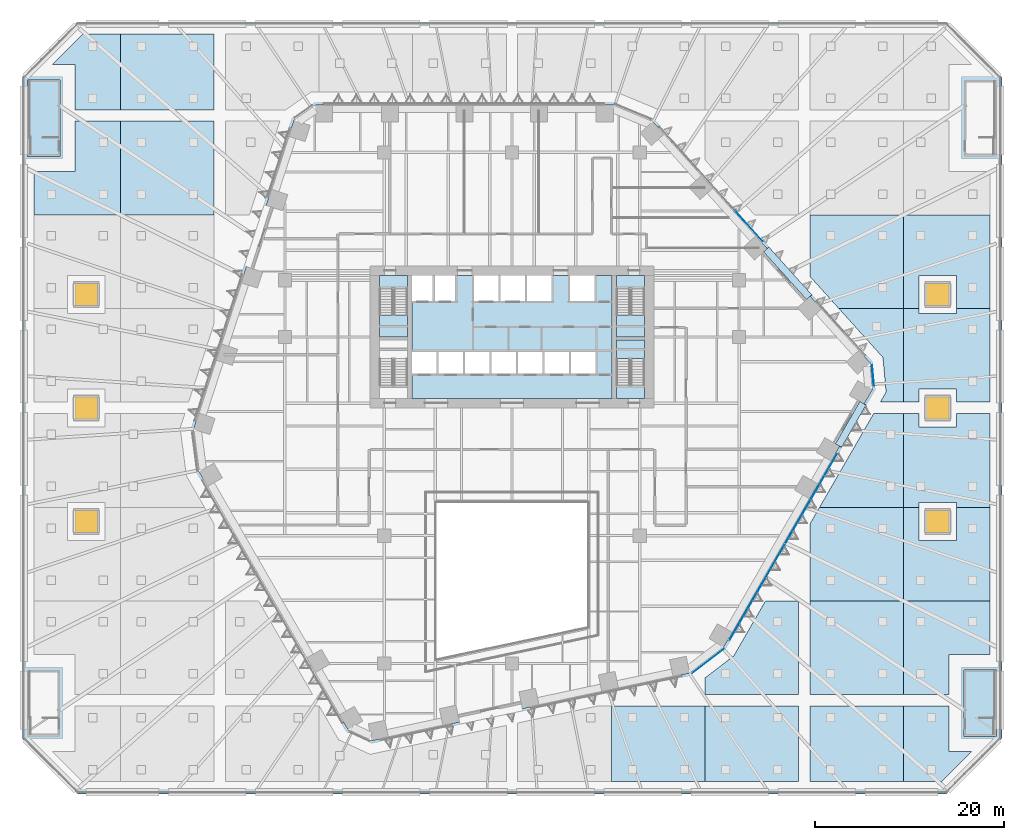
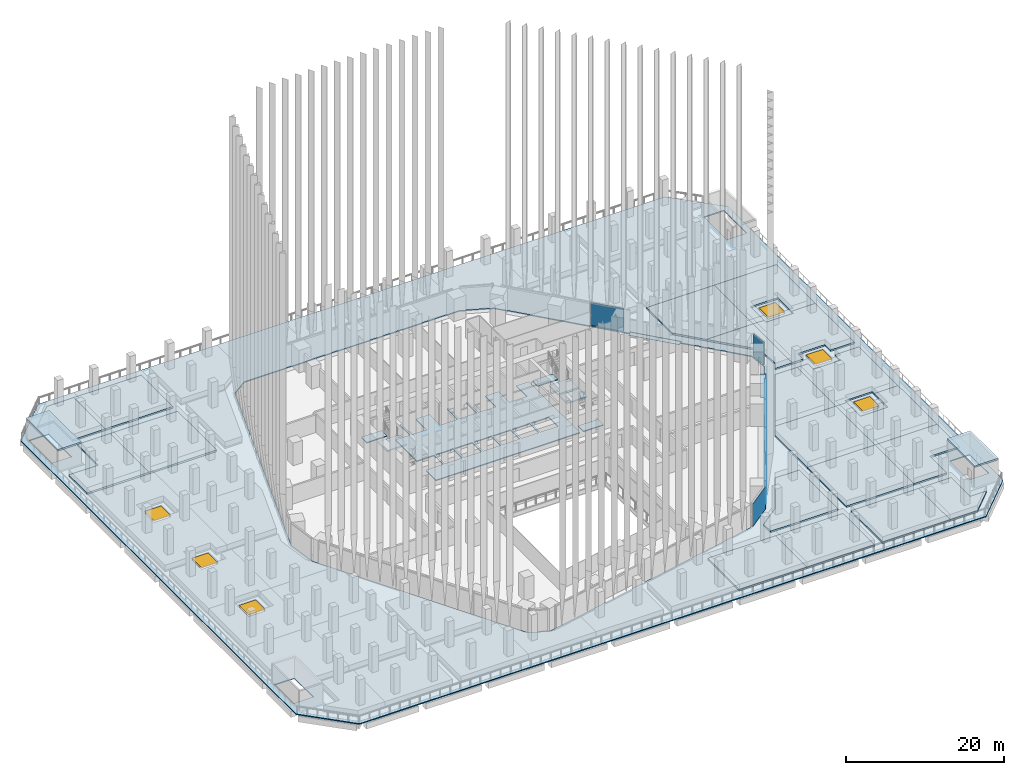
# One storey, part 22 of 51: 31 slabs, 7 plates, 6 windows, 6 openings, 7 elements without a shape of their own.
"""IFC4 building model written with IfcOpenShell, lengths in metres."""

from ifc_helpers import new_model, si_unit, direction, frame, origin, origin_2d, place, context, subcontext, project, spatial, polyline, rectangle, outline, extrude, material, layer, layer_set, type_object, element, fill, aggregate, save


model = new_model("IFC4")

# Units and contexts
model_context = context("Model", 3, precision=1e-05, world=origin(), true_north=direction((0.0, 1.0)))
body_context = subcontext(model_context, "Body", "Model", "MODEL_VIEW")
ifc_project = project(units=[si_unit("LENGTHUNIT", "METRE"), si_unit("AREAUNIT", "SQUARE_METRE"), si_unit("VOLUMEUNIT", "CUBIC_METRE"), si_unit("PLANEANGLEUNIT", "RADIAN"), si_unit("MASSUNIT", "GRAM", prefix="KILO")], contexts=[model_context])

# Site, building, storey
site_placement = place(None, origin())
site = spatial("IfcSite", under=ifc_project, at=site_placement, CompositionType="ELEMENT")
building_placement = place(site_placement, origin())
building = spatial("IfcBuilding", under=site, at=building_placement, Name="Isthmus Gate Tower", CompositionType="ELEMENT")
storey_placement = place(building_placement, frame((0.0, 0.0, 36.0)))
storey = spatial("IfcBuildingStorey", under=building, at=storey_placement, Name="L06", CompositionType="ELEMENT", Elevation=36.0)

# Slabs
ifc_material_1 = material(Name="Concrete f'c 40 MPa", Category="concrete")
ifc_layer_1 = layer(ifc_material_1, 0.14990234375)
ifc_layer_set_1 = layer_set([ifc_layer_1], Name="CORE FLOOR SLAB 150")
slab_type_1 = type_object("IfcSlabType", Name="CORE FLOOR SLAB 150", PredefinedType="FLOOR", material=ifc_layer_set_1)
slab_1_placement = place(storey_placement, frame((0.0, 0.0, -0.14990234375)))
element("IfcSlab", 1, at=slab_1_placement, inside=storey, type_object=slab_type_1, Name="L06 core floor", PredefinedType="FLOOR", context=body_context, shape_type="SweptSolid", body=[
    extrude(outline(polyline([(-14.0, 14.0), (-14.0, 12.597900390625), (-11.050048828125, 12.597900390625), (-11.050048828125, 14.0), (-14.0, 14.0)])), origin(), (0.0, 0.0, 1.0), 0.14990234375),
])
slab_2_placement = place(storey_placement, frame((0.0, 0.0, -0.14990234375)))
element("IfcSlab", 2, at=slab_2_placement, inside=storey, type_object=slab_type_1, Name="L06 core floor", PredefinedType="FLOOR", context=body_context, shape_type="SweptSolid", body=[
    extrude(outline(polyline([(10.550048828125, 14.0), (8.699951171875, 14.0), (8.699951171875, 11.300048828125), (6.14990234375, 11.300048828125), (6.14990234375, 14.0), (4.14990234375, 14.0), (4.14990234375, 11.300048828125), (1.60009765625, 11.300048828125), (1.60009765625, 14.0), (1.35009765625, 14.0), (1.35009765625, 11.300048828125), (-1.199951171875, 11.300048828125), (-1.199951171875, 14.0), (-1.449951171875, 14.0), (-1.449951171875, 11.300048828125), (-4.0, 11.300048828125), (-4.0, 14.0), (-6.0, 14.0), (-6.0, 11.300048828125), (-8.14990234375, 11.300048828125), (-8.14990234375, 14.0), (-8.39990234375, 14.0), (-8.39990234375, 11.300048828125), (-10.550048828125, 11.300048828125), (-10.550048828125, 5.89990234375), (-8.0, 5.89990234375), (-8.0, 3.60009765625), (-10.550048828125, 3.60009765625), (-10.550048828125, 1.0), (10.550048828125, 1.0), (10.550048828125, 14.0)]), holes=[polyline([(-5.199951171875, 5.89990234375), (-5.199951171875, 3.60009765625), (-7.75, 3.60009765625), (-7.75, 5.89990234375), (-5.199951171875, 5.89990234375)]), polyline([(-2.39990234375, 5.89990234375), (-2.39990234375, 3.60009765625), (-4.949951171875, 3.60009765625), (-4.949951171875, 5.89990234375), (-2.39990234375, 5.89990234375)]), polyline([(0.39990234375, 5.89990234375), (0.39990234375, 3.60009765625), (-2.14990234375, 3.60009765625), (-2.14990234375, 5.89990234375), (0.39990234375, 5.89990234375)]), polyline([(3.199951171875, 5.89990234375), (3.199951171875, 3.60009765625), (0.64990234375, 3.60009765625), (0.64990234375, 5.89990234375), (3.199951171875, 5.89990234375)]), polyline([(6.0, 5.89990234375), (6.0, 3.60009765625), (3.449951171875, 3.60009765625), (3.449951171875, 5.89990234375), (6.0, 5.89990234375)]), polyline([(8.800048828125, 5.89990234375), (8.800048828125, 3.60009765625), (6.25, 3.60009765625), (6.25, 5.89990234375), (8.800048828125, 5.89990234375)])]), origin(), (0.0, 0.0, 1.0), 0.14990234375),
])
slab_3_placement = place(storey_placement, frame((0.0, 0.0, -0.14990234375)))
element("IfcSlab", 3, at=slab_3_placement, inside=storey, type_object=slab_type_1, Name="L06 core floor", PredefinedType="FLOOR", context=body_context, shape_type="SweptSolid", body=[
    extrude(outline(polyline([(14.0, 1.0), (14.0, 2.402099609375), (11.050048828125, 2.402099609375), (11.050048828125, 1.0), (14.0, 1.0)])), origin(), (0.0, 0.0, 1.0), 0.14990234375),
])
slab_4_placement = place(storey_placement, frame((0.0, 0.0, -0.14990234375)))
element("IfcSlab", 4, at=slab_4_placement, inside=storey, type_object=slab_type_1, Name="L06 core floor", PredefinedType="FLOOR", context=body_context, shape_type="SweptSolid", body=[
    extrude(outline(polyline([(11.050048828125, 14.0), (11.050048828125, 12.597900390625), (14.0, 12.597900390625), (14.0, 14.0), (11.050048828125, 14.0)])), origin(), (0.0, 0.0, 1.0), 0.14990234375),
])

# Curtain wall, plate
ifc_material_2 = material(Name="Aluminium, pale champagne anodised", Category="aluminium")
ifc_layer_2 = layer(ifc_material_2, 0.199951171875)
ifc_layer_set_2 = layer_set([ifc_layer_2], Name="CW-1 UNITISED CURTAIN WALL 200 DEEP")
curtain_wall_type = type_object("IfcCurtainWallType", Name="CW-1 UNITISED CURTAIN WALL 200 DEEP", PredefinedType="NOTDEFINED", material=ifc_layer_set_2)
curtain_wall_1_placement = place(storey_placement, origin())
curtain_wall_1 = element("IfcCurtainWall", 5, at=curtain_wall_1_placement, inside=storey, type_object=curtain_wall_type, Name="CW-1 S-SE L06", PredefinedType="NOTDEFINED")
ifc_material_3 = material(Name="Laminated low-iron glass, pale blue tint", Category="glass")
ifc_layer_3 = layer(ifc_material_3, 0.0400390625)
ifc_layer_set_3 = layer_set([ifc_layer_3], Name="CW-1 CLEAR GLASS LITE 40")
plate_type = type_object("IfcPlateType", Name="CW-1 CLEAR GLASS LITE 40", PredefinedType="CURTAIN_PANEL", material=ifc_layer_set_3)
plate_1_placement = place(storey_placement, frame((20.711669921875, -26.75732421875, 0.0), z_axis=(0.0, 0.0, 1.0), x_axis=(0.794188594387, 0.607671355706, 0.0)))
plate_1 = element("IfcPlate", 6, at=plate_1_placement, type_object=plate_type, Name="CW-1 glass lite", PredefinedType="CURTAIN_PANEL", context=body_context, shape_type="SweptSolid", body=[
    extrude(rectangle(XDim=4.181396484375, YDim=0.0400390625, at=origin_2d()), origin(), (0.0, 0.0, 1.0), 3.5),
])
aggregate(curtain_wall_1, [plate_1])

# Curtain wall, plates
curtain_wall_2_placement = place(storey_placement, origin())
curtain_wall_2 = element("IfcCurtainWall", 7, at=curtain_wall_2_placement, inside=storey, type_object=curtain_wall_type, Name="CW-1 SE L06", PredefinedType="NOTDEFINED")
plate_2_placement = place(storey_placement, frame((24.5673828125, -21.80810546875, 0.0), z_axis=(0.0, 0.0, 1.0), x_axis=(0.5, 0.866025403784, 0.0)))
plate_2 = element("IfcPlate", 8, at=plate_2_placement, type_object=plate_type, Name="CW-1 glass lite", PredefinedType="CURTAIN_PANEL", context=body_context, shape_type="SweptSolid", body=[
    extrude(rectangle(XDim=6.278564453125, YDim=0.0400390625, at=origin_2d()), origin(), (0.0, 0.0, 1.0), 3.5),
])
plate_3_placement = place(storey_placement, frame((27.49658203125, -16.734375, 0.0), z_axis=(0.0, 0.0, 1.0), x_axis=(0.5, 0.866025403784, 0.0)))
plate_3 = element("IfcPlate", 9, at=plate_3_placement, type_object=plate_type, Name="CW-1 glass lite", PredefinedType="CURTAIN_PANEL", context=body_context, shape_type="SweptSolid", body=[
    extrude(rectangle(XDim=5.4384765625, YDim=0.0400390625, at=origin_2d()), origin(), (0.0, 0.0, 1.0), 3.5),
])
plate_4_placement = place(storey_placement, frame((30.4560546875, -11.608642578125, 0.0), z_axis=(0.0, 0.0, 1.0), x_axis=(0.5, 0.866025403784, 0.0)))
plate_4 = element("IfcPlate", 10, at=plate_4_placement, type_object=plate_type, Name="CW-1 glass lite", PredefinedType="CURTAIN_PANEL", context=body_context, shape_type="SweptSolid", body=[
    extrude(rectangle(XDim=6.278564453125, YDim=0.0400390625, at=origin_2d()), origin(), (0.0, 0.0, 1.0), 3.5),
])
plate_5_placement = place(storey_placement, frame((33.173828125, -6.901123046875, 0.0), z_axis=(0.0, 0.0, 1.0), x_axis=(0.5, 0.866025403784, 0.0)))
plate_5 = element("IfcPlate", 11, at=plate_5_placement, type_object=plate_type, Name="CW-1 glass lite", PredefinedType="CURTAIN_PANEL", context=body_context, shape_type="SweptSolid", body=[
    extrude(rectangle(XDim=4.5927734375, YDim=0.0400390625, at=origin_2d()), origin(), (0.0, 0.0, 1.0), 3.5),
])
aggregate(curtain_wall_2, [plate_2, plate_3, plate_4, plate_5])

# Curtain wall, plate
curtain_wall_3_placement = place(storey_placement, origin())
curtain_wall_3 = element("IfcCurtainWall", 12, at=curtain_wall_3_placement, inside=storey, type_object=curtain_wall_type, Name="CW-1 SE-NE L06", PredefinedType="NOTDEFINED")
plate_6_placement = place(storey_placement, frame((38.155029296875, 3.403564453125, 0.0), z_axis=(0.0, 0.0, 1.0), x_axis=(-0.089396669717, 0.995996102123, 0.0)))
plate_6 = element("IfcPlate", 13, at=plate_6_placement, type_object=plate_type, Name="CW-1 glass lite", PredefinedType="CURTAIN_PANEL", context=body_context, shape_type="SweptSolid", body=[
    extrude(rectangle(XDim=2.258544921875, YDim=0.0400390625, at=origin_2d()), origin(), (0.0, 0.0, 1.0), 3.5),
])
aggregate(curtain_wall_3, [plate_6])

curtain_wall_4_placement = place(storey_placement, origin())
curtain_wall_4 = element("IfcCurtainWall", 14, at=curtain_wall_4_placement, inside=storey, type_object=curtain_wall_type, Name="CW-1 NE L06", PredefinedType="NOTDEFINED")
plate_7_placement = place(storey_placement, frame((25.056884765625, 19.21875, 0.0), z_axis=(0.0, 0.0, 1.0), x_axis=(-0.669130606359, 0.743144825477, 0.0)))
plate_7 = element("IfcPlate", 15, at=plate_7_placement, type_object=plate_type, Name="CW-1 glass lite", PredefinedType="CURTAIN_PANEL", context=body_context, shape_type="SweptSolid", body=[
    extrude(rectangle(XDim=4.294677734375, YDim=0.0400390625, at=origin_2d()), origin(), (0.0, 0.0, 1.0), 3.5),
])
aggregate(curtain_wall_4, [plate_7])

# Slabs
ifc_material_4 = material(Name="Precast concrete C40/50", Category="concrete")
ifc_layer_4 = layer(ifc_material_4, 0.0400390625)
ifc_layer_set_4 = layer_set([ifc_layer_4], Name="DOOR LANDING SLAB 40")
slab_type_2 = type_object("IfcSlabType", Name="DOOR LANDING SLAB 40", PredefinedType="LANDING", material=ifc_layer_set_4)
slab_5_placement = place(storey_placement, origin())
element("IfcSlab", 16, at=slab_5_placement, inside=storey, type_object=slab_type_2, Name="DOOR LANDING", PredefinedType="LANDING", context=body_context, shape_type="SweptSolid", body=[
    extrude(outline(polyline([(34.832763671875, -4.16796875), (37.41748046875, 0.308837890625), (36.767822265625, 0.683837890625), (34.18310546875, -3.79296875), (34.832763671875, -4.16796875)])), origin(), (0.0, 0.0, 1.0), 0.0400390625),
])
slab_6_placement = place(storey_placement, origin())
element("IfcSlab", 17, at=slab_6_placement, inside=storey, type_object=slab_type_2, Name="DOOR LANDING", PredefinedType="LANDING", context=body_context, shape_type="SweptSolid", body=[
    extrude(outline(polyline([(31.69091796875, 11.95556640625), (27.14794921875, 17.0009765625), (26.590576171875, 16.499267578125), (31.133544921875, 11.45361328125), (31.69091796875, 11.95556640625)])), origin(), (0.0, 0.0, 1.0), 0.0400390625),
])
ifc_material_5 = material(Name="Concrete f'c 40 MPa", Category="concrete")
ifc_layer_5 = layer(ifc_material_5, 0.25)
ifc_layer_set_5 = layer_set([ifc_layer_5], Name="Head-house roof slab 250")
slab_type_3 = type_object("IfcSlabType", Name="Head-house roof slab 250", PredefinedType="ROOF", material=ifc_layer_set_5)
slab_7_placement = place(storey_placement, frame((0.0, 0.0, 3.199951171875)))
element("IfcSlab", 18, at=slab_7_placement, inside=storey, type_object=slab_type_3, Name="Stair head-house roof", PredefinedType="ROOF", context=body_context, shape_type="SweptSolid", body=[
    extrude(outline(polyline([(47.75, -34.72509765625), (51.199951171875, -34.72509765625), (51.199951171875, -27.678955078125), (47.75, -27.678955078125), (47.75, -34.72509765625)])), origin(), (0.0, 0.0, 1.0), 0.25),
])
slab_8_placement = place(storey_placement, frame((0.0, 0.0, 3.199951171875)))
element("IfcSlab", 19, at=slab_8_placement, inside=storey, type_object=slab_type_3, Name="Stair head-house roof", PredefinedType="ROOF", context=body_context, shape_type="SweptSolid", body=[
    extrude(outline(polyline([(-51.199951171875, 26.574951171875), (-47.75, 26.574951171875), (-47.75, 34.675048828125), (-51.199951171875, 34.675048828125), (-51.199951171875, 26.574951171875)])), origin(), (0.0, 0.0, 1.0), 0.25),
])

# Slab, openings, windows
ifc_material_6 = material(Name="Concrete f'c 40 MPa", Category="concrete")
ifc_layer_6 = layer(ifc_material_6, 0.14990234375)
ifc_layer_set_6 = layer_set([ifc_layer_6], Name="LEDGE ROOF SLAB 150")
slab_type_4 = type_object("IfcSlabType", Name="LEDGE ROOF SLAB 150", PredefinedType="ROOF", material=ifc_layer_set_6)
slab_9_placement = place(storey_placement, frame((0.0, 0.0, -0.14990234375)))
slab_9 = element("IfcSlab", 20, at=slab_9_placement, inside=storey, type_object=slab_type_4, Name="str-podroof", PredefinedType="ROOF", context=body_context, shape_type="SweptSolid", body=[
    extrude(outline(polyline([(-45.917236328125, 40.800048828125), (45.917236328125, 40.800048828125), (51.800048828125, 34.917236328125), (51.800048828125, -34.917236328125), (45.917236328125, -40.800048828125), (-45.917236328125, -40.800048828125), (-51.800048828125, -34.917236328125), (-51.800048828125, 34.917236328125), (-45.917236328125, 40.800048828125)]), holes=[polyline([(-23.585205078125, 28.702880859375), (-25.4052734375, 23.10205078125), (-25.797607421875, 21.89404296875), (-25.96142578125, 21.389892578125), (-28.0595703125, 14.93310546875), (-28.337646484375, 14.0771484375), (-28.61572265625, 13.22119140625), (-30.7138671875, 6.76416015625), (-30.797607421875, 6.505615234375), (-31.27001953125, 5.052001953125), (-33.08984375, -0.548828125), (-33.64599609375, -2.2607421875), (-33.063720703125, -6.73193359375), (-32.163818359375, -8.290771484375), (-21.696533203125, -26.420654296875), (-20.79638671875, -27.9794921875), (-18.224609375, -32.433837890625), (-17.32470703125, -33.99267578125), (-14.82568359375, -35.1513671875), (-13.06494140625, -34.777099609375), (-7.30419921875, -33.552490234375), (-5.543701171875, -33.17822265625), (1.097412109375, -31.7666015625), (2.858154296875, -31.392578125), (9.4990234375, -29.98095703125), (10.76904296875, -29.7109375), (11.259765625, -29.606689453125), (17.020263671875, -28.382080078125), (18.781005859375, -28.008056640625), (22.36181640625, -25.26806640625), (23.261962890625, -23.709228515625), (31.419677734375, -9.579345703125), (32.319580078125, -8.0205078125), (33.71630859375, -5.601806640625), (34.395751953125, -4.4248046875), (34.6162109375, -4.04296875), (37.200927734375, 0.433837890625), (38.100830078125, 1.99267578125), (37.854736328125, 4.736328125), (36.650146484375, 6.073974609375), (32.70947265625, 10.45068359375), (32.396484375, 10.79833984375), (31.505126953125, 11.788330078125), (26.962158203125, 16.833740234375), (25.7578125, 18.17138671875), (21.214599609375, 23.216796875), (20.30712890625, 24.224853515625), (20.01025390625, 24.554443359375), (16.069580078125, 28.93115234375), (14.864990234375, 30.268798828125), (10.701904296875, 32.0), (8.90185546875, 32.0), (3.732421875, 32.0), (1.932373046875, 32.0), (-4.13720703125, 32.0), (-5.937255859375, 32.0), (-12.006591796875, 32.0), (-13.806640625, 32.0), (-18.976318359375, 32.0), (-20.776123046875, 32.0), (-23.029052734375, 30.4150390625), (-23.585205078125, 28.702880859375)]), polyline([(-48.0, -27.928955078125), (-50.949951171875, -27.928955078125), (-50.949951171875, -32.72509765625), (-48.0, -32.72509765625), (-48.0, -27.928955078125)]), polyline([(-48.0, 28.625), (-48.0, 34.425048828125), (-50.949951171875, 34.425048828125), (-50.949951171875, 28.625), (-48.0, 28.625)]), polyline([(50.949951171875, -27.928955078125), (48.0, -27.928955078125), (48.0, -32.72509765625), (50.949951171875, -32.72509765625), (50.949951171875, -27.928955078125)]), polyline([(50.949951171875, 28.625), (50.949951171875, 34.425048828125), (48.0, 34.425048828125), (48.0, 28.625), (50.949951171875, 28.625)]), polyline([(-46.199951171875, -13.199951171875), (-43.800048828125, -13.199951171875), (-43.800048828125, -10.800048828125), (-46.199951171875, -10.800048828125), (-46.199951171875, -13.199951171875)]), polyline([(43.800048828125, -10.800048828125), (43.800048828125, -13.199951171875), (46.199951171875, -13.199951171875), (46.199951171875, -10.800048828125), (43.800048828125, -10.800048828125)]), polyline([(-46.199951171875, 1.199951171875), (-46.199951171875, -1.199951171875), (-43.800048828125, -1.199951171875), (-43.800048828125, 1.199951171875), (-46.199951171875, 1.199951171875)]), polyline([(43.800048828125, -1.199951171875), (46.199951171875, -1.199951171875), (46.199951171875, 1.199951171875), (43.800048828125, 1.199951171875), (43.800048828125, -1.199951171875)]), polyline([(-46.199951171875, 13.199951171875), (-46.199951171875, 10.800048828125), (-43.800048828125, 10.800048828125), (-43.800048828125, 13.199951171875), (-46.199951171875, 13.199951171875)]), polyline([(43.800048828125, 13.199951171875), (43.800048828125, 10.800048828125), (46.199951171875, 10.800048828125), (46.199951171875, 13.199951171875), (43.800048828125, 13.199951171875)])]), origin(), (0.0, 0.0, 1.0), 0.14990234375),
])
opening_1_placement = place(slab_9_placement, frame((-45.0, -12.0, 0.0)))
opening_1 = element("IfcOpeningElement", 21, at=opening_1_placement, cuts=slab_9, Name="Opening W120", PredefinedType="OPENING", context=body_context, shape_type="SweptSolid", body=[
    extrude(rectangle(XDim=2.39990234375, YDim=2.39990234375, at=origin_2d()), origin(), (0.0, 0.0, 1.0), 0.39990234375),
])
opening_2_placement = place(slab_9_placement, frame((-45.0, 0.0, 0.0)))
opening_2 = element("IfcOpeningElement", 22, at=opening_2_placement, cuts=slab_9, Name="Opening W121", PredefinedType="OPENING", context=body_context, shape_type="SweptSolid", body=[
    extrude(rectangle(XDim=2.39990234375, YDim=2.39990234375, at=origin_2d()), origin(), (0.0, 0.0, 1.0), 0.39990234375),
])
opening_3_placement = place(slab_9_placement, frame((-45.0, 12.0, 0.0)))
opening_3 = element("IfcOpeningElement", 23, at=opening_3_placement, cuts=slab_9, Name="Opening W122", PredefinedType="OPENING", context=body_context, shape_type="SweptSolid", body=[
    extrude(rectangle(XDim=2.39990234375, YDim=2.39990234375, at=origin_2d()), origin(), (0.0, 0.0, 1.0), 0.39990234375),
])
opening_4_placement = place(slab_9_placement, frame((45.0, -12.0, 0.0)))
opening_4 = element("IfcOpeningElement", 24, at=opening_4_placement, cuts=slab_9, Name="Opening W123", PredefinedType="OPENING", context=body_context, shape_type="SweptSolid", body=[
    extrude(rectangle(XDim=2.39990234375, YDim=2.39990234375, at=origin_2d()), origin(), (0.0, 0.0, 1.0), 0.39990234375),
])
opening_5_placement = place(slab_9_placement, frame((45.0, 0.0, 0.0)))
opening_5 = element("IfcOpeningElement", 25, at=opening_5_placement, cuts=slab_9, Name="Opening W124", PredefinedType="OPENING", context=body_context, shape_type="SweptSolid", body=[
    extrude(rectangle(XDim=2.39990234375, YDim=2.39990234375, at=origin_2d()), origin(), (0.0, 0.0, 1.0), 0.39990234375),
])
opening_6_placement = place(slab_9_placement, frame((45.0, 12.0, 0.0)))
opening_6 = element("IfcOpeningElement", 26, at=opening_6_placement, cuts=slab_9, Name="Opening W125", PredefinedType="OPENING", context=body_context, shape_type="SweptSolid", body=[
    extrude(rectangle(XDim=2.39990234375, YDim=2.39990234375, at=origin_2d()), origin(), (0.0, 0.0, 1.0), 0.39990234375),
])
ifc_material_7 = material(Name="Laminated low-iron glass in aluminium frame", Category="aluminium")
window_type = type_object("IfcWindowType", Name="ROOFLIGHT 2400 X 2400", PartitioningType="SINGLE_PANEL", PredefinedType="SKYLIGHT", material=ifc_material_7)
window_1_placement = place(opening_1_placement, frame((0.0, 0.0, 0.349853515625)))
window_1 = element("IfcWindow", 27, at=window_1_placement, inside=storey, type_object=window_type, Name="SKYLIGHT", OverallHeight=2.39990234375, OverallWidth=2.39990234375, PartitioningType="SINGLE_PANEL", PredefinedType="SKYLIGHT", context=body_context, shape_type="SweptSolid", body=[
    extrude(rectangle(XDim=2.39990234375, YDim=2.39990234375, at=origin_2d()), origin(), (0.0, 0.0, 1.0), 0.050048828125),
])
fill(opening_1, window_1)
window_2_placement = place(opening_2_placement, frame((0.0, 0.0, 0.349853515625)))
window_2 = element("IfcWindow", 28, at=window_2_placement, inside=storey, type_object=window_type, Name="SKYLIGHT", OverallHeight=2.39990234375, OverallWidth=2.39990234375, PartitioningType="SINGLE_PANEL", PredefinedType="SKYLIGHT", context=body_context, shape_type="SweptSolid", body=[
    extrude(rectangle(XDim=2.39990234375, YDim=2.39990234375, at=origin_2d()), origin(), (0.0, 0.0, 1.0), 0.050048828125),
])
fill(opening_2, window_2)
window_3_placement = place(opening_3_placement, frame((0.0, 0.0, 0.349853515625)))
window_3 = element("IfcWindow", 29, at=window_3_placement, inside=storey, type_object=window_type, Name="SKYLIGHT", OverallHeight=2.39990234375, OverallWidth=2.39990234375, PartitioningType="SINGLE_PANEL", PredefinedType="SKYLIGHT", context=body_context, shape_type="SweptSolid", body=[
    extrude(rectangle(XDim=2.39990234375, YDim=2.39990234375, at=origin_2d()), origin(), (0.0, 0.0, 1.0), 0.050048828125),
])
fill(opening_3, window_3)
window_4_placement = place(opening_4_placement, frame((0.0, 0.0, 0.349853515625)))
window_4 = element("IfcWindow", 30, at=window_4_placement, inside=storey, type_object=window_type, Name="SKYLIGHT", OverallHeight=2.39990234375, OverallWidth=2.39990234375, PartitioningType="SINGLE_PANEL", PredefinedType="SKYLIGHT", context=body_context, shape_type="SweptSolid", body=[
    extrude(rectangle(XDim=2.39990234375, YDim=2.39990234375, at=origin_2d()), origin(), (0.0, 0.0, 1.0), 0.050048828125),
])
fill(opening_4, window_4)
window_5_placement = place(opening_5_placement, frame((0.0, 0.0, 0.349853515625)))
window_5 = element("IfcWindow", 31, at=window_5_placement, inside=storey, type_object=window_type, Name="SKYLIGHT", OverallHeight=2.39990234375, OverallWidth=2.39990234375, PartitioningType="SINGLE_PANEL", PredefinedType="SKYLIGHT", context=body_context, shape_type="SweptSolid", body=[
    extrude(rectangle(XDim=2.39990234375, YDim=2.39990234375, at=origin_2d()), origin(), (0.0, 0.0, 1.0), 0.050048828125),
])
fill(opening_5, window_5)
window_6_placement = place(opening_6_placement, frame((0.0, 0.0, 0.349853515625)))
window_6 = element("IfcWindow", 32, at=window_6_placement, inside=storey, type_object=window_type, Name="SKYLIGHT", OverallHeight=2.39990234375, OverallWidth=2.39990234375, PartitioningType="SINGLE_PANEL", PredefinedType="SKYLIGHT", context=body_context, shape_type="SweptSolid", body=[
    extrude(rectangle(XDim=2.39990234375, YDim=2.39990234375, at=origin_2d()), origin(), (0.0, 0.0, 1.0), 0.050048828125),
])
fill(opening_6, window_6)

# Slabs
ifc_material_8 = material(Name="Concrete f'c 40 MPa", Category="concrete")
ifc_layer_7 = layer(ifc_material_8, 0.25)
ifc_layer_set_7 = layer_set([ifc_layer_7], Name="PLANTING BED BASE SLAB 250")
slab_type_5 = type_object("IfcSlabType", Name="PLANTING BED BASE SLAB 250", PredefinedType="FLOOR", material=ifc_layer_set_7)
slab_10_placement = place(storey_placement, origin())
element("IfcSlab", 33, at=slab_10_placement, inside=storey, type_object=slab_type_5, Name="PLANTING BED BASE", PredefinedType="FLOOR", context=body_context, shape_type="SweptSolid", body=[
    extrude(outline(polyline([(-41.39990234375, 30.300048828125), (-46.175048828125, 30.300048828125), (-46.175048828125, 25.0), (-50.5, 25.0), (-50.5, 20.39990234375), (-41.39990234375, 20.39990234375), (-41.39990234375, 30.300048828125)])), origin(), (0.0, 0.0, 1.0), 0.25),
])
slab_11_placement = place(storey_placement, origin())
element("IfcSlab", 34, at=slab_11_placement, inside=storey, type_object=slab_type_5, Name="PLANTING BED BASE", PredefinedType="FLOOR", context=body_context, shape_type="SweptSolid", body=[
    extrude(outline(polyline([(-41.39990234375, 31.5), (-41.39990234375, 39.5), (-45.378662109375, 39.5), (-48.57861328125, 36.300048828125), (-46.175048828125, 36.300048828125), (-46.175048828125, 31.5), (-41.39990234375, 31.5)])), origin(), (0.0, 0.0, 1.0), 0.25),
])
slab_12_placement = place(storey_placement, origin())
element("IfcSlab", 35, at=slab_12_placement, inside=storey, type_object=slab_type_5, Name="PLANTING BED BASE", PredefinedType="FLOOR", context=body_context, shape_type="SweptSolid", body=[
    extrude(outline(polyline([(-41.39990234375, 20.39990234375), (-31.5, 20.39990234375), (-31.5, 30.300048828125), (-41.39990234375, 30.300048828125), (-41.39990234375, 20.39990234375)])), origin(), (0.0, 0.0, 1.0), 0.25),
])
slab_13_placement = place(storey_placement, origin())
element("IfcSlab", 36, at=slab_13_placement, inside=storey, type_object=slab_type_5, Name="PLANTING BED BASE", PredefinedType="FLOOR", context=body_context, shape_type="SweptSolid", body=[
    extrude(outline(polyline([(-31.5, 31.5), (-31.5, 39.5), (-41.39990234375, 39.5), (-41.39990234375, 31.5), (-31.5, 31.5)])), origin(), (0.0, 0.0, 1.0), 0.25),
])
slab_14_placement = place(storey_placement, origin())
element("IfcSlab", 37, at=slab_14_placement, inside=storey, type_object=slab_type_5, Name="PLANTING BED BASE", PredefinedType="FLOOR", context=body_context, shape_type="SweptSolid", body=[
    extrude(outline(polyline([(10.5, -31.5), (10.5, -39.5), (20.39990234375, -39.5), (20.39990234375, -31.5), (10.5, -31.5)])), origin(), (0.0, 0.0, 1.0), 0.25),
])
slab_15_placement = place(storey_placement, origin())
element("IfcSlab", 38, at=slab_15_placement, inside=storey, type_object=slab_type_5, Name="PLANTING BED BASE", PredefinedType="FLOOR", context=body_context, shape_type="SweptSolid", body=[
    extrude(outline(polyline([(20.39990234375, -31.5), (20.39990234375, -39.5), (30.300048828125, -39.5), (30.300048828125, -31.5), (20.39990234375, -31.5)])), origin(), (0.0, 0.0, 1.0), 0.25),
])
slab_16_placement = place(storey_placement, origin())
element("IfcSlab", 39, at=slab_16_placement, inside=storey, type_object=slab_type_5, Name="PLANTING BED BASE", PredefinedType="FLOOR", context=body_context, shape_type="SweptSolid", body=[
    extrude(outline(polyline([(30.300048828125, -20.39990234375), (26.7890625, -20.39990234375), (23.4345703125, -26.210205078125), (20.39990234375, -28.531982421875), (20.39990234375, -30.300048828125), (30.300048828125, -30.300048828125), (30.300048828125, -20.39990234375)])), origin(), (0.0, 0.0, 1.0), 0.25),
])
slab_17_placement = place(storey_placement, origin())
element("IfcSlab", 40, at=slab_17_placement, inside=storey, type_object=slab_type_5, Name="PLANTING BED BASE", PredefinedType="FLOOR", context=body_context, shape_type="SweptSolid", body=[
    extrude(outline(polyline([(31.5, -31.5), (31.5, -39.5), (41.39990234375, -39.5), (41.39990234375, -31.5), (31.5, -31.5)])), origin(), (0.0, 0.0, 1.0), 0.25),
])
slab_18_placement = place(storey_placement, origin())
element("IfcSlab", 41, at=slab_18_placement, inside=storey, type_object=slab_type_5, Name="PLANTING BED BASE", PredefinedType="FLOOR", context=body_context, shape_type="SweptSolid", body=[
    extrude(outline(polyline([(31.5, -30.300048828125), (41.39990234375, -30.300048828125), (41.39990234375, -20.39990234375), (31.5, -20.39990234375), (31.5, -30.300048828125)])), origin(), (0.0, 0.0, 1.0), 0.25),
])
slab_19_placement = place(storey_placement, origin())
element("IfcSlab", 42, at=slab_19_placement, inside=storey, type_object=slab_type_5, Name="PLANTING BED BASE", PredefinedType="FLOOR", context=body_context, shape_type="SweptSolid", body=[
    extrude(outline(polyline([(41.39990234375, -10.5), (32.5048828125, -10.5), (31.5, -12.240478515625), (31.5, -20.39990234375), (41.39990234375, -20.39990234375), (41.39990234375, -10.5)])), origin(), (0.0, 0.0, 1.0), 0.25),
])
slab_20_placement = place(storey_placement, origin())
element("IfcSlab", 43, at=slab_20_placement, inside=storey, type_object=slab_type_5, Name="PLANTING BED BASE", PredefinedType="FLOOR", context=body_context, shape_type="SweptSolid", body=[
    extrude(outline(polyline([(31.5, 20.39990234375), (31.5, 13.88623046875), (34.548828125, 10.5), (41.39990234375, 10.5), (41.39990234375, 20.39990234375), (31.5, 20.39990234375)])), origin(), (0.0, 0.0, 1.0), 0.25),
])
slab_21_placement = place(storey_placement, origin())
element("IfcSlab", 44, at=slab_21_placement, inside=storey, type_object=slab_type_5, Name="PLANTING BED BASE", PredefinedType="FLOOR", context=body_context, shape_type="SweptSolid", body=[
    extrude(outline(polyline([(41.39990234375, -0.60009765625), (38.220703125, -0.60009765625), (32.5048828125, -10.5), (41.39990234375, -10.5), (41.39990234375, -0.60009765625)])), origin(), (0.0, 0.0, 1.0), 0.25),
])
slab_22_placement = place(storey_placement, origin())
element("IfcSlab", 45, at=slab_22_placement, inside=storey, type_object=slab_type_5, Name="PLANTING BED BASE", PredefinedType="FLOOR", context=body_context, shape_type="SweptSolid", body=[
    extrude(outline(polyline([(41.39990234375, 10.5), (34.548828125, 10.5), (39.207275390625, 5.326171875), (39.534912109375, 1.676513671875), (38.913330078125, 0.60009765625), (41.39990234375, 0.60009765625), (41.39990234375, 10.5)])), origin(), (0.0, 0.0, 1.0), 0.25),
])
slab_23_placement = place(storey_placement, origin())
element("IfcSlab", 46, at=slab_23_placement, inside=storey, type_object=slab_type_5, Name="PLANTING BED BASE", PredefinedType="FLOOR", context=body_context, shape_type="SweptSolid", body=[
    extrude(outline(polyline([(41.39990234375, -31.5), (41.39990234375, -39.5), (45.378662109375, -39.5), (48.57861328125, -36.300048828125), (46.175048828125, -36.300048828125), (46.175048828125, -31.5), (41.39990234375, -31.5)])), origin(), (0.0, 0.0, 1.0), 0.25),
])
slab_24_placement = place(storey_placement, origin())
element("IfcSlab", 47, at=slab_24_placement, inside=storey, type_object=slab_type_5, Name="PLANTING BED BASE", PredefinedType="FLOOR", context=body_context, shape_type="SweptSolid", body=[
    extrude(outline(polyline([(41.39990234375, -30.300048828125), (46.175048828125, -30.300048828125), (46.175048828125, -26.078857421875), (50.5, -26.078857421875), (50.5, -20.39990234375), (41.39990234375, -20.39990234375), (41.39990234375, -30.300048828125)])), origin(), (0.0, 0.0, 1.0), 0.25),
])
slab_25_placement = place(storey_placement, origin())
element("IfcSlab", 48, at=slab_25_placement, inside=storey, type_object=slab_type_5, Name="PLANTING BED BASE", PredefinedType="FLOOR", context=body_context, shape_type="SweptSolid", body=[
    extrude(outline(polyline([(50.5, -0.60009765625), (47.0, -0.60009765625), (47.0, -2.0), (43.0, -2.0), (43.0, -0.60009765625), (41.39990234375, -0.60009765625), (41.39990234375, -10.5), (43.0, -10.5), (43.0, -10.0), (47.0, -10.0), (47.0, -10.5), (50.5, -10.5), (50.5, -0.60009765625)])), origin(), (0.0, 0.0, 1.0), 0.25),
])
slab_26_placement = place(storey_placement, origin())
element("IfcSlab", 49, at=slab_26_placement, inside=storey, type_object=slab_type_5, Name="PLANTING BED BASE", PredefinedType="FLOOR", context=body_context, shape_type="SweptSolid", body=[
    extrude(outline(polyline([(50.5, 10.5), (47.0, 10.5), (47.0, 10.0), (43.0, 10.0), (43.0, 10.5), (41.39990234375, 10.5), (41.39990234375, 0.60009765625), (43.0, 0.60009765625), (43.0, 2.0), (47.0, 2.0), (47.0, 0.60009765625), (50.5, 0.60009765625), (50.5, 10.5)])), origin(), (0.0, 0.0, 1.0), 0.25),
])
slab_27_placement = place(storey_placement, origin())
element("IfcSlab", 50, at=slab_27_placement, inside=storey, type_object=slab_type_5, Name="PLANTING BED BASE", PredefinedType="FLOOR", context=body_context, shape_type="SweptSolid", body=[
    extrude(outline(polyline([(50.5, -10.5), (47.0, -10.5), (47.0, -14.0), (43.0, -14.0), (43.0, -10.5), (41.39990234375, -10.5), (41.39990234375, -20.39990234375), (50.5, -20.39990234375), (50.5, -10.5)])), origin(), (0.0, 0.0, 1.0), 0.25),
])
slab_28_placement = place(storey_placement, origin())
element("IfcSlab", 51, at=slab_28_placement, inside=storey, type_object=slab_type_5, Name="PLANTING BED BASE", PredefinedType="FLOOR", context=body_context, shape_type="SweptSolid", body=[
    extrude(outline(polyline([(41.39990234375, 10.5), (43.0, 10.5), (43.0, 14.0), (47.0, 14.0), (47.0, 10.5), (50.5, 10.5), (50.5, 20.39990234375), (41.39990234375, 20.39990234375), (41.39990234375, 10.5)])), origin(), (0.0, 0.0, 1.0), 0.25),
])

# Stair, slab
ifc_material_9 = material(Name="Concrete f'c 40 MPa", Category="concrete")
stair_type = type_object("IfcStairType", Name="CORE STAIR 22 RISERS", PredefinedType="HALF_TURN_STAIR", material=ifc_material_9)
stair_1_placement = place(storey_placement, origin())
stair_1 = element("IfcStair", 52, at=stair_1_placement, inside=storey, type_object=stair_type, Name="L06 Exit Stair 1", PredefinedType="HALF_TURN_STAIR")
ifc_material_10 = material(Name="Concrete f'c 40 MPa", Category="concrete")
ifc_layer_8 = layer(ifc_material_10, 0.199951171875)
ifc_layer_set_8 = layer_set([ifc_layer_8])
slab_type_6 = type_object("IfcSlabType", Name="STAIR LANDING RC 200", PredefinedType="LANDING", material=ifc_layer_set_8)
slab_29_placement = place(storey_placement, frame((0.0, 0.0, 1.625)))
slab_29 = element("IfcSlab", 53, at=slab_29_placement, type_object=slab_type_6, Name="ST1 landing 1", PredefinedType="LANDING", context=body_context, shape_type="SweptSolid", body=[
    extrude(outline(polyline([(-14.0, 9.800048828125), (-14.0, 7.5), (-11.050048828125, 7.5), (-11.050048828125, 9.800048828125), (-14.0, 9.800048828125)])), origin(), (0.0, 0.0, 1.0), 0.199951171875),
])
aggregate(stair_1, [slab_29])

stair_2_placement = place(storey_placement, origin())
stair_2 = element("IfcStair", 54, at=stair_2_placement, inside=storey, type_object=stair_type, Name="L06 Exit Stair 2", PredefinedType="HALF_TURN_STAIR")
slab_30_placement = place(storey_placement, frame((0.0, 0.0, 1.625)))
slab_30 = element("IfcSlab", 55, at=slab_30_placement, type_object=slab_type_6, Name="ST2 landing 1", PredefinedType="LANDING", context=body_context, shape_type="SweptSolid", body=[
    extrude(outline(polyline([(11.050048828125, 9.800048828125), (11.050048828125, 7.5), (14.0, 7.5), (14.0, 9.800048828125), (11.050048828125, 9.800048828125)])), origin(), (0.0, 0.0, 1.0), 0.199951171875),
])
aggregate(stair_2, [slab_30])

stair_3_placement = place(storey_placement, origin())
stair_3 = element("IfcStair", 56, at=stair_3_placement, inside=storey, type_object=stair_type, Name="L06 Exit Stair 8", PredefinedType="HALF_TURN_STAIR")
slab_31_placement = place(storey_placement, frame((0.0, 0.0, 1.625)))
slab_31 = element("IfcSlab", 57, at=slab_31_placement, type_object=slab_type_6, Name="ST8 landing 1", PredefinedType="LANDING", context=body_context, shape_type="SweptSolid", body=[
    extrude(outline(polyline([(14.0, 5.199951171875), (14.0, 7.199951171875), (11.050048828125, 7.199951171875), (11.050048828125, 5.199951171875), (14.0, 5.199951171875)])), origin(), (0.0, 0.0, 1.0), 0.199951171875),
])
aggregate(stair_3, [slab_31])

save(model, "model.ifc")
